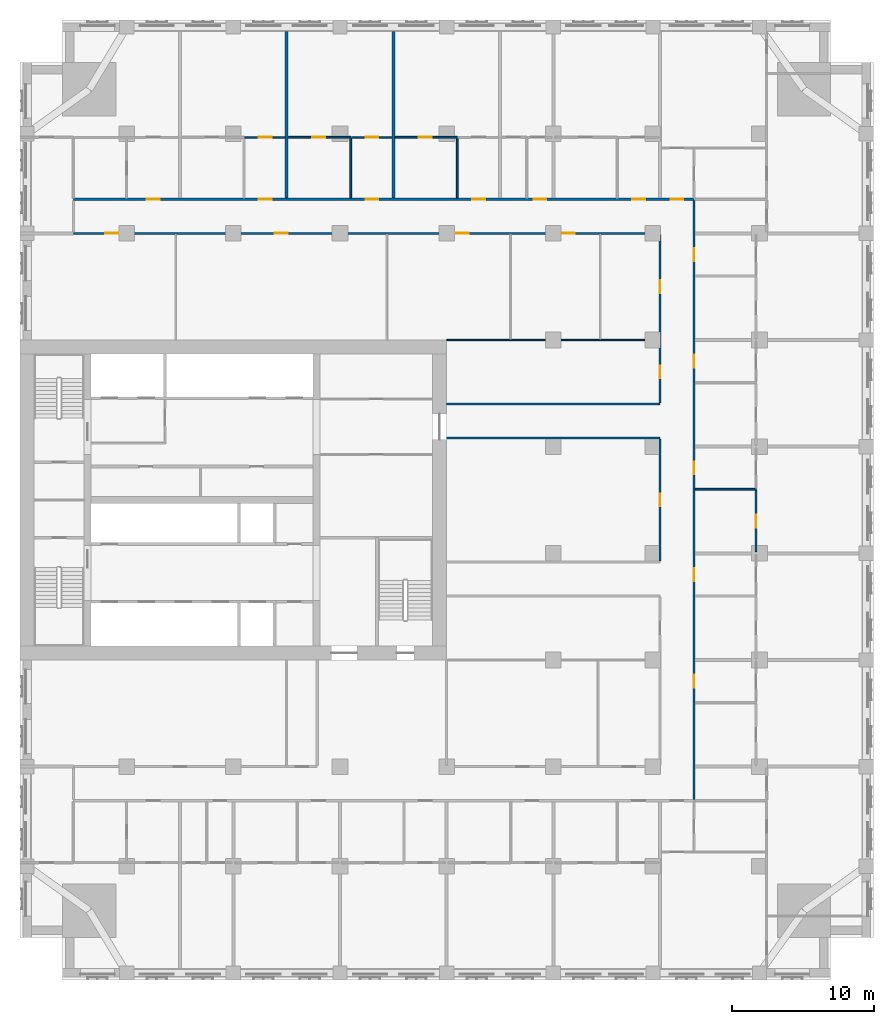
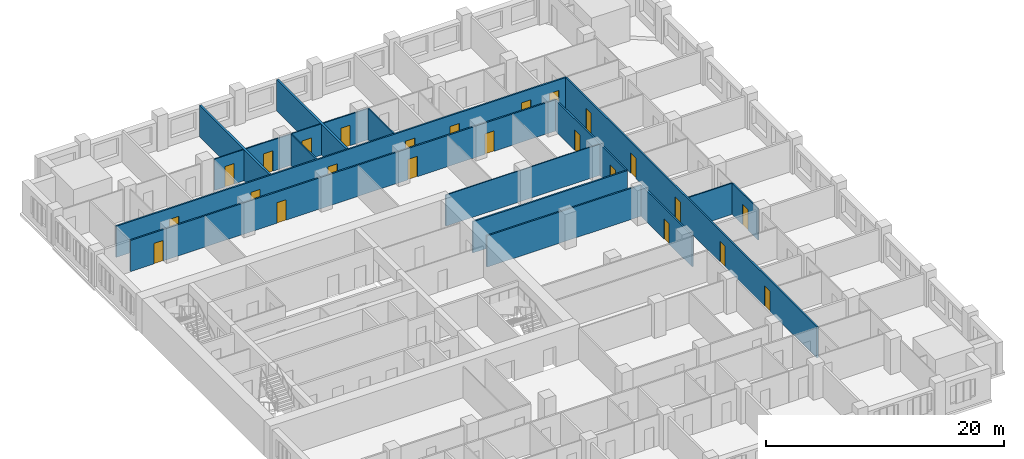
# One storey, part 9 of 14: 24 doors, 18 walls, 24 openings.
"""IFC4 building model written with IfcOpenShell, lengths in metres."""

from ifc_helpers import new_model, si_unit, direction, frame, frame_2d, origin, place, context, subcontext, project, spatial, rectangle, extrude, material, layer, layer_set, type_object, element, fill, save


model = new_model("IFC4")

# Units and contexts
model_context = context("Model", 3, precision=1e-05, world=origin(), true_north=direction((0.0, 1.0)))
body_context = subcontext(model_context, "Body", "Model", "MODEL_VIEW")
ifc_project = project(units=[si_unit("LENGTHUNIT", "METRE"), si_unit("AREAUNIT", "SQUARE_METRE"), si_unit("VOLUMEUNIT", "CUBIC_METRE"), si_unit("PLANEANGLEUNIT", "RADIAN"), si_unit("MASSUNIT", "GRAM", prefix="KILO")], contexts=[model_context])

# Site, building, storey
site_placement = place(None, origin())
site = spatial("IfcSite", under=ifc_project, at=site_placement, CompositionType="ELEMENT")
building_placement = place(site_placement, origin())
building = spatial("IfcBuilding", under=site, at=building_placement, Name="Tamorin Gate", CompositionType="ELEMENT")
storey_placement = place(building_placement, frame((0.0, 0.0, 115.10009765625)))
storey = spatial("IfcBuildingStorey", under=building, at=storey_placement, Name="L28", CompositionType="ELEMENT", Elevation=115.10009765625)

# Wall, openings, doors
ifc_material_1 = material(Name="Gypsum board partition")
ifc_layer_1 = layer(ifc_material_1, 0.14990234375)
ifc_layer_set_1 = layer_set([ifc_layer_1], Name="Corridor wall 150")
wall_type_1 = type_object("IfcWallType", Name="Corridor wall 150", PredefinedType="PARTITIONING", material=ifc_layer_set_1)
wall_1_placement = place(storey_placement, frame((33.75, 90.0, 0.0), z_axis=(0.0, 0.0, 1.0), x_axis=(1.0, 0.0, 0.0)))
wall_1 = element("IfcWall", 1, at=wall_1_placement, inside=storey, type_object=wall_type_1, Name="Corridor wall 150", PredefinedType="PARTITIONING", context=body_context, shape_type="SweptSolid", body=[
    extrude(rectangle(XDim=41.25, YDim=0.14990234375, at=frame_2d((20.625, 0.0))), origin(), (0.0, 0.0, 1.0), 3.199951171875),
])
opening_1_placement = place(wall_1_placement, frame((2.25, 0.0, 0.0)))
opening_1 = element("IfcOpeningElement", 2, at=opening_1_placement, cuts=wall_1, Name="Opening DH7070", PredefinedType="OPENING", context=body_context, shape_type="SweptSolid", body=[
    extrude(rectangle(XDim=0.89990234375, YDim=2.10009765625, at=frame_2d((0.449951171875, 1.050048828125))), frame((0.0, 0.0849609375, 0.0), z_axis=(0.0, -1.0, 0.0), x_axis=(1.0, 0.0, 0.0)), (0.0, 0.0, 1.0), 0.169921875),
])
opening_2_placement = place(wall_1_placement, frame((14.175048828125, 0.0, 0.0)))
opening_2 = element("IfcOpeningElement", 3, at=opening_2_placement, cuts=wall_1, Name="Opening DH7071", PredefinedType="OPENING", context=body_context, shape_type="SweptSolid", body=[
    extrude(rectangle(XDim=0.89990234375, YDim=2.10009765625, at=frame_2d((0.449951171875, 1.050048828125))), frame((0.0, 0.0849609375, 0.0), z_axis=(0.0, -1.0, 0.0), x_axis=(1.0, 0.0, 0.0)), (0.0, 0.0, 1.0), 0.169921875),
])
opening_3_placement = place(wall_1_placement, frame((26.89990234375, 0.0, 0.0)))
opening_3 = element("IfcOpeningElement", 4, at=opening_3_placement, cuts=wall_1, Name="Opening DH7072", PredefinedType="OPENING", context=body_context, shape_type="SweptSolid", body=[
    extrude(rectangle(XDim=0.89990234375, YDim=2.10009765625, at=frame_2d((0.449951171875, 1.050048828125))), frame((0.0, 0.0849609375, 0.0), z_axis=(0.0, -1.0, 0.0), x_axis=(1.0, 0.0, 0.0)), (0.0, 0.0, 1.0), 0.169921875),
])
opening_4_placement = place(wall_1_placement, frame((34.35009765625, 0.0, 0.0)))
opening_4 = element("IfcOpeningElement", 5, at=opening_4_placement, cuts=wall_1, Name="Opening DH7073", PredefinedType="OPENING", context=body_context, shape_type="SweptSolid", body=[
    extrude(rectangle(XDim=0.89990234375, YDim=2.10009765625, at=frame_2d((0.449951171875, 1.050048828125))), frame((0.0, 0.0849609375, 0.0), z_axis=(0.0, -1.0, 0.0), x_axis=(1.0, 0.0, 0.0)), (0.0, 0.0, 1.0), 0.169921875),
])
ifc_material_2 = material(Name="Timber door leaf", Category="wood")
door_type_1 = type_object("IfcDoorType", Name="Door 900 x 2100 FD30S", OperationType="NOTDEFINED", PredefinedType="DOOR", material=ifc_material_2)
door_1_placement = place(opening_1_placement, origin())
door_1 = element("IfcDoor", 6, at=door_1_placement, inside=storey, type_object=door_type_1, Name="Door DH7070", OperationType="SINGLE_SWING_RIGHT", OverallHeight=2.10009765625, OverallWidth=0.89990234375, PredefinedType="DOOR", context=body_context, shape_type="SweptSolid", body=[
    extrude(rectangle(XDim=0.89990234375, YDim=2.10009765625, at=frame_2d((0.449951171875, 1.050048828125))), frame((0.0, 0.02490234375, 0.0), z_axis=(0.0, -1.0, 0.0), x_axis=(1.0, 0.0, 0.0)), (0.0, 0.0, 1.0), 0.050048828125),
])
fill(opening_1, door_1)
door_2_placement = place(opening_2_placement, origin())
door_2 = element("IfcDoor", 7, at=door_2_placement, inside=storey, type_object=door_type_1, Name="Door DH7071", OperationType="SINGLE_SWING_RIGHT", OverallHeight=2.10009765625, OverallWidth=0.89990234375, PredefinedType="DOOR", context=body_context, shape_type="SweptSolid", body=[
    extrude(rectangle(XDim=0.89990234375, YDim=2.10009765625, at=frame_2d((0.449951171875, 1.050048828125))), frame((0.0, 0.02490234375, 0.0), z_axis=(0.0, -1.0, 0.0), x_axis=(1.0, 0.0, 0.0)), (0.0, 0.0, 1.0), 0.050048828125),
])
fill(opening_2, door_2)
door_3_placement = place(opening_3_placement, origin())
door_3 = element("IfcDoor", 8, at=door_3_placement, inside=storey, type_object=door_type_1, Name="Door DH7072", OperationType="SINGLE_SWING_LEFT", OverallHeight=2.10009765625, OverallWidth=0.89990234375, PredefinedType="DOOR", context=body_context, shape_type="SweptSolid", body=[
    extrude(rectangle(XDim=0.89990234375, YDim=2.10009765625, at=frame_2d((0.449951171875, 1.050048828125))), frame((0.0, 0.02490234375, 0.0), z_axis=(0.0, -1.0, 0.0), x_axis=(1.0, 0.0, 0.0)), (0.0, 0.0, 1.0), 0.050048828125),
])
fill(opening_3, door_3)
door_4_placement = place(opening_4_placement, origin())
door_4 = element("IfcDoor", 9, at=door_4_placement, inside=storey, type_object=door_type_1, Name="Door DH7073", OperationType="SINGLE_SWING_LEFT", OverallHeight=2.10009765625, OverallWidth=0.89990234375, PredefinedType="DOOR", context=body_context, shape_type="SweptSolid", body=[
    extrude(rectangle(XDim=0.89990234375, YDim=2.10009765625, at=frame_2d((0.449951171875, 1.050048828125))), frame((0.0, 0.02490234375, 0.0), z_axis=(0.0, -1.0, 0.0), x_axis=(1.0, 0.0, 0.0)), (0.0, 0.0, 1.0), 0.050048828125),
])
fill(opening_4, door_4)

wall_2_placement = place(storey_placement, frame((33.75, 92.39990234375, 0.0), z_axis=(0.0, 0.0, 1.0), x_axis=(1.0, 0.0, 0.0)))
wall_2 = element("IfcWall", 10, at=wall_2_placement, inside=storey, type_object=wall_type_1, Name="Corridor wall 150", PredefinedType="PARTITIONING", context=body_context, shape_type="SweptSolid", body=[
    extrude(rectangle(XDim=43.64990234375, YDim=0.14990234375, at=frame_2d((21.824951171875, 0.0))), origin(), (0.0, 0.0, 1.0), 3.199951171875),
])
opening_5_placement = place(wall_2_placement, frame((5.175048828125, 0.0, 0.0)))
opening_5 = element("IfcOpeningElement", 11, at=opening_5_placement, cuts=wall_2, Name="Opening DH7022", PredefinedType="OPENING", context=body_context, shape_type="SweptSolid", body=[
    extrude(rectangle(XDim=0.89990234375, YDim=2.10009765625, at=frame_2d((0.449951171875, 1.050048828125))), frame((0.0, 0.0849609375, 0.0), z_axis=(0.0, -1.0, 0.0), x_axis=(1.0, 0.0, 0.0)), (0.0, 0.0, 1.0), 0.169921875),
])
opening_6_placement = place(wall_2_placement, frame((13.050048828125, 0.0, 0.0)))
opening_6 = element("IfcOpeningElement", 12, at=opening_6_placement, cuts=wall_2, Name="Opening DH7025", PredefinedType="OPENING", context=body_context, shape_type="SweptSolid", body=[
    extrude(rectangle(XDim=0.89990234375, YDim=2.10009765625, at=frame_2d((0.449951171875, 1.050048828125))), frame((0.0, 0.0849609375, 0.0), z_axis=(0.0, -1.0, 0.0), x_axis=(1.0, 0.0, 0.0)), (0.0, 0.0, 1.0), 0.169921875),
])
opening_7_placement = place(wall_2_placement, frame((20.550048828125, 0.0, 0.0)))
opening_7 = element("IfcOpeningElement", 13, at=opening_7_placement, cuts=wall_2, Name="Opening DH7028", PredefinedType="OPENING", context=body_context, shape_type="SweptSolid", body=[
    extrude(rectangle(XDim=0.89990234375, YDim=2.10009765625, at=frame_2d((0.449951171875, 1.050048828125))), frame((0.0, 0.0849609375, 0.0), z_axis=(0.0, -1.0, 0.0), x_axis=(1.0, 0.0, 0.0)), (0.0, 0.0, 1.0), 0.169921875),
])
opening_8_placement = place(wall_2_placement, frame((28.050048828125, 0.0, 0.0)))
opening_8 = element("IfcOpeningElement", 14, at=opening_8_placement, cuts=wall_2, Name="Opening DH7031", PredefinedType="OPENING", context=body_context, shape_type="SweptSolid", body=[
    extrude(rectangle(XDim=0.89990234375, YDim=2.10009765625, at=frame_2d((0.449951171875, 1.050048828125))), frame((0.0, 0.0849609375, 0.0), z_axis=(0.0, -1.0, 0.0), x_axis=(1.0, 0.0, 0.0)), (0.0, 0.0, 1.0), 0.169921875),
])
opening_9_placement = place(wall_2_placement, frame((32.362548828125, 0.0, 0.0)))
opening_9 = element("IfcOpeningElement", 15, at=opening_9_placement, cuts=wall_2, Name="Opening DH7034", PredefinedType="OPENING", context=body_context, shape_type="SweptSolid", body=[
    extrude(rectangle(XDim=0.89990234375, YDim=2.10009765625, at=frame_2d((0.449951171875, 1.050048828125))), frame((0.0, 0.0849609375, 0.0), z_axis=(0.0, -1.0, 0.0), x_axis=(1.0, 0.0, 0.0)), (0.0, 0.0, 1.0), 0.169921875),
])
opening_10_placement = place(wall_2_placement, frame((39.300048828125, 0.0, 0.0)))
opening_10 = element("IfcOpeningElement", 16, at=opening_10_placement, cuts=wall_2, Name="Opening DH7037", PredefinedType="OPENING", context=body_context, shape_type="SweptSolid", body=[
    extrude(rectangle(XDim=0.89990234375, YDim=2.10009765625, at=frame_2d((0.449951171875, 1.050048828125))), frame((0.0, 0.0849609375, 0.0), z_axis=(0.0, -1.0, 0.0), x_axis=(1.0, 0.0, 0.0)), (0.0, 0.0, 1.0), 0.169921875),
])
opening_11_placement = place(wall_2_placement, frame((42.0, 0.0, 0.0)))
opening_11 = element("IfcOpeningElement", 17, at=opening_11_placement, cuts=wall_2, Name="Opening DH7060", PredefinedType="OPENING", context=body_context, shape_type="SweptSolid", body=[
    extrude(rectangle(XDim=0.89990234375, YDim=2.10009765625, at=frame_2d((0.449951171875, 1.050048828125))), frame((0.0, 0.0849609375, 0.0), z_axis=(0.0, -1.0, 0.0), x_axis=(1.0, 0.0, 0.0)), (0.0, 0.0, 1.0), 0.169921875),
])
door_5_placement = place(opening_5_placement, origin())
door_5 = element("IfcDoor", 18, at=door_5_placement, inside=storey, type_object=door_type_1, Name="Door DH7022", OperationType="SINGLE_SWING_LEFT", OverallHeight=2.10009765625, OverallWidth=0.89990234375, PredefinedType="DOOR", context=body_context, shape_type="SweptSolid", body=[
    extrude(rectangle(XDim=0.89990234375, YDim=2.10009765625, at=frame_2d((0.449951171875, 1.050048828125))), frame((0.0, 0.02490234375, 0.0), z_axis=(0.0, -1.0, 0.0), x_axis=(1.0, 0.0, 0.0)), (0.0, 0.0, 1.0), 0.050048828125),
])
fill(opening_5, door_5)
door_6_placement = place(opening_6_placement, origin())
door_6 = element("IfcDoor", 19, at=door_6_placement, inside=storey, type_object=door_type_1, Name="Door DH7025", OperationType="SINGLE_SWING_LEFT", OverallHeight=2.10009765625, OverallWidth=0.89990234375, PredefinedType="DOOR", context=body_context, shape_type="SweptSolid", body=[
    extrude(rectangle(XDim=0.89990234375, YDim=2.10009765625, at=frame_2d((0.449951171875, 1.050048828125))), frame((0.0, 0.02490234375, 0.0), z_axis=(0.0, -1.0, 0.0), x_axis=(1.0, 0.0, 0.0)), (0.0, 0.0, 1.0), 0.050048828125),
])
fill(opening_6, door_6)
door_7_placement = place(opening_7_placement, origin())
door_7 = element("IfcDoor", 20, at=door_7_placement, inside=storey, type_object=door_type_1, Name="Door DH7028", OperationType="SINGLE_SWING_LEFT", OverallHeight=2.10009765625, OverallWidth=0.89990234375, PredefinedType="DOOR", context=body_context, shape_type="SweptSolid", body=[
    extrude(rectangle(XDim=0.89990234375, YDim=2.10009765625, at=frame_2d((0.449951171875, 1.050048828125))), frame((0.0, 0.02490234375, 0.0), z_axis=(0.0, -1.0, 0.0), x_axis=(1.0, 0.0, 0.0)), (0.0, 0.0, 1.0), 0.050048828125),
])
fill(opening_7, door_7)
door_8_placement = place(opening_8_placement, origin())
door_8 = element("IfcDoor", 21, at=door_8_placement, inside=storey, type_object=door_type_1, Name="Door DH7031", OperationType="SINGLE_SWING_LEFT", OverallHeight=2.10009765625, OverallWidth=0.89990234375, PredefinedType="DOOR", context=body_context, shape_type="SweptSolid", body=[
    extrude(rectangle(XDim=0.89990234375, YDim=2.10009765625, at=frame_2d((0.449951171875, 1.050048828125))), frame((0.0, 0.02490234375, 0.0), z_axis=(0.0, -1.0, 0.0), x_axis=(1.0, 0.0, 0.0)), (0.0, 0.0, 1.0), 0.050048828125),
])
fill(opening_8, door_8)
door_9_placement = place(opening_9_placement, origin())
door_9 = element("IfcDoor", 22, at=door_9_placement, inside=storey, type_object=door_type_1, Name="Door DH7034", OperationType="SINGLE_SWING_LEFT", OverallHeight=2.10009765625, OverallWidth=0.89990234375, PredefinedType="DOOR", context=body_context, shape_type="SweptSolid", body=[
    extrude(rectangle(XDim=0.89990234375, YDim=2.10009765625, at=frame_2d((0.449951171875, 1.050048828125))), frame((0.0, 0.02490234375, 0.0), z_axis=(0.0, -1.0, 0.0), x_axis=(1.0, 0.0, 0.0)), (0.0, 0.0, 1.0), 0.050048828125),
])
fill(opening_9, door_9)
door_10_placement = place(opening_10_placement, origin())
door_10 = element("IfcDoor", 23, at=door_10_placement, inside=storey, type_object=door_type_1, Name="Door DH7037", OperationType="SINGLE_SWING_LEFT", OverallHeight=2.10009765625, OverallWidth=0.89990234375, PredefinedType="DOOR", context=body_context, shape_type="SweptSolid", body=[
    extrude(rectangle(XDim=0.89990234375, YDim=2.10009765625, at=frame_2d((0.449951171875, 1.050048828125))), frame((0.0, 0.02490234375, 0.0), z_axis=(0.0, -1.0, 0.0), x_axis=(1.0, 0.0, 0.0)), (0.0, 0.0, 1.0), 0.050048828125),
])
fill(opening_10, door_10)
door_11_placement = place(opening_11_placement, origin())
door_11 = element("IfcDoor", 24, at=door_11_placement, inside=storey, type_object=door_type_1, Name="Door DH7060", OperationType="SINGLE_SWING_RIGHT", OverallHeight=2.10009765625, OverallWidth=0.89990234375, PredefinedType="DOOR", context=body_context, shape_type="SweptSolid", body=[
    extrude(rectangle(XDim=0.89990234375, YDim=2.10009765625, at=frame_2d((0.449951171875, 1.050048828125))), frame((0.0, 0.02490234375, 0.0), z_axis=(0.0, -1.0, 0.0), x_axis=(1.0, 0.0, 0.0)), (0.0, 0.0, 1.0), 0.050048828125),
])
fill(opening_11, door_11)

# Wall, opening, door
wall_3_placement = place(storey_placement, frame((75.0, 66.97509765625, 0.0), z_axis=(0.0, 0.0, 1.0), x_axis=(0.0, 1.0, 0.0)))
wall_3 = element("IfcWall", 25, at=wall_3_placement, inside=storey, type_object=wall_type_1, Name="Corridor wall 150", PredefinedType="PARTITIONING", context=body_context, shape_type="SweptSolid", body=[
    extrude(rectangle(XDim=8.5498046875, YDim=0.14990234375, at=frame_2d((4.27490234375, 0.0))), origin(), (0.0, 0.0, 1.0), 3.199951171875),
])
opening_12_placement = place(wall_3_placement, frame((3.824951171875, 0.0, 0.0)))
opening_12 = element("IfcOpeningElement", 26, at=opening_12_placement, cuts=wall_3, Name="Opening DH7076", PredefinedType="OPENING", context=body_context, shape_type="SweptSolid", body=[
    extrude(rectangle(XDim=0.89990234375, YDim=2.10009765625, at=frame_2d((0.449951171875, 1.050048828125))), frame((0.0, 0.0849609375, 0.0), z_axis=(0.0, -1.0, 0.0), x_axis=(1.0, 0.0, 0.0)), (0.0, 0.0, 1.0), 0.169921875),
])
door_12_placement = place(opening_12_placement, origin())
door_12 = element("IfcDoor", 27, at=door_12_placement, inside=storey, type_object=door_type_1, Name="Door DH7076", OperationType="SINGLE_SWING_LEFT", OverallHeight=2.10009765625, OverallWidth=0.89990234375, PredefinedType="DOOR", context=body_context, shape_type="SweptSolid", body=[
    extrude(rectangle(XDim=0.89990234375, YDim=2.10009765625, at=frame_2d((0.449951171875, 1.050048828125))), frame((0.0, 0.02490234375, 0.0), z_axis=(0.0, -1.0, 0.0), x_axis=(1.0, 0.0, 0.0)), (0.0, 0.0, 1.0), 0.050048828125),
])
fill(opening_12, door_12)

# Wall, openings, doors
wall_4_placement = place(storey_placement, frame((75.0, 78.074951171875, 0.0), z_axis=(0.0, 0.0, 1.0), x_axis=(0.0, 1.0, 0.0)))
wall_4 = element("IfcWall", 28, at=wall_4_placement, inside=storey, type_object=wall_type_1, Name="Corridor wall 150", PredefinedType="PARTITIONING", context=body_context, shape_type="SweptSolid", body=[
    extrude(rectangle(XDim=11.85009765625, YDim=0.14990234375, at=frame_2d((5.925048828125, 0.0))), origin(), (0.0, 0.0, 1.0), 3.199951171875),
])
opening_13_placement = place(wall_4_placement, frame((7.72509765625, 0.0, 0.0)))
opening_13 = element("IfcOpeningElement", 29, at=opening_13_placement, cuts=wall_4, Name="Opening DH7074", PredefinedType="OPENING", context=body_context, shape_type="SweptSolid", body=[
    extrude(rectangle(XDim=0.89990234375, YDim=2.10009765625, at=frame_2d((0.449951171875, 1.050048828125))), frame((0.0, 0.0849609375, 0.0), z_axis=(0.0, -1.0, 0.0), x_axis=(1.0, 0.0, 0.0)), (0.0, 0.0, 1.0), 0.169921875),
])
opening_14_placement = place(wall_4_placement, frame((1.72509765625, 0.0, 0.0)))
opening_14 = element("IfcOpeningElement", 30, at=opening_14_placement, cuts=wall_4, Name="Opening DH7077", PredefinedType="OPENING", context=body_context, shape_type="SweptSolid", body=[
    extrude(rectangle(XDim=0.89990234375, YDim=2.10009765625, at=frame_2d((0.449951171875, 1.050048828125))), frame((0.0, 0.0849609375, 0.0), z_axis=(0.0, -1.0, 0.0), x_axis=(1.0, 0.0, 0.0)), (0.0, 0.0, 1.0), 0.169921875),
])
door_13_placement = place(opening_13_placement, origin())
door_13 = element("IfcDoor", 31, at=door_13_placement, inside=storey, type_object=door_type_1, Name="Door DH7074", OperationType="SINGLE_SWING_LEFT", OverallHeight=2.10009765625, OverallWidth=0.89990234375, PredefinedType="DOOR", context=body_context, shape_type="SweptSolid", body=[
    extrude(rectangle(XDim=0.89990234375, YDim=2.10009765625, at=frame_2d((0.449951171875, 1.050048828125))), frame((0.0, 0.02490234375, 0.0), z_axis=(0.0, -1.0, 0.0), x_axis=(1.0, 0.0, 0.0)), (0.0, 0.0, 1.0), 0.050048828125),
])
fill(opening_13, door_13)
door_14_placement = place(opening_14_placement, origin())
door_14 = element("IfcDoor", 32, at=door_14_placement, inside=storey, type_object=door_type_1, Name="Door DH7077", OperationType="SINGLE_SWING_LEFT", OverallHeight=2.10009765625, OverallWidth=0.89990234375, PredefinedType="DOOR", context=body_context, shape_type="SweptSolid", body=[
    extrude(rectangle(XDim=0.89990234375, YDim=2.10009765625, at=frame_2d((0.449951171875, 1.050048828125))), frame((0.0, 0.02490234375, 0.0), z_axis=(0.0, -1.0, 0.0), x_axis=(1.0, 0.0, 0.0)), (0.0, 0.0, 1.0), 0.050048828125),
])
fill(opening_14, door_14)

wall_5_placement = place(storey_placement, frame((77.39990234375, 50.175048828125, 0.0), z_axis=(0.0, 0.0, 1.0), x_axis=(0.0, 1.0, 0.0)))
wall_5 = element("IfcWall", 33, at=wall_5_placement, inside=storey, type_object=wall_type_1, Name="Corridor wall 150", PredefinedType="PARTITIONING", context=body_context, shape_type="SweptSolid", body=[
    extrude(rectangle(XDim=42.14990234375, YDim=0.14990234375, at=frame_2d((21.074951171875, 0.0))), origin(), (0.0, 0.0, 1.0), 3.199951171875),
])
opening_15_placement = place(wall_5_placement, frame((7.875, 0.0, 0.0)))
opening_15 = element("IfcOpeningElement", 34, at=opening_15_placement, cuts=wall_5, Name="Opening DH7040", PredefinedType="OPENING", context=body_context, shape_type="SweptSolid", body=[
    extrude(rectangle(XDim=0.89990234375, YDim=2.10009765625, at=frame_2d((0.449951171875, 1.050048828125))), frame((0.0, 0.0849609375, 0.0), z_axis=(0.0, -1.0, 0.0), x_axis=(1.0, 0.0, 0.0)), (0.0, 0.0, 1.0), 0.169921875),
])
opening_16_placement = place(wall_5_placement, frame((15.375, 0.0, 0.0)))
opening_16 = element("IfcOpeningElement", 35, at=opening_16_placement, cuts=wall_5, Name="Opening DH7043", PredefinedType="OPENING", context=body_context, shape_type="SweptSolid", body=[
    extrude(rectangle(XDim=0.89990234375, YDim=2.10009765625, at=frame_2d((0.449951171875, 1.050048828125))), frame((0.0, 0.0849609375, 0.0), z_axis=(0.0, -1.0, 0.0), x_axis=(1.0, 0.0, 0.0)), (0.0, 0.0, 1.0), 0.169921875),
])
opening_17_placement = place(wall_5_placement, frame((22.875, 0.0, 0.0)))
opening_17 = element("IfcOpeningElement", 36, at=opening_17_placement, cuts=wall_5, Name="Opening DH7046", PredefinedType="OPENING", context=body_context, shape_type="SweptSolid", body=[
    extrude(rectangle(XDim=0.89990234375, YDim=2.10009765625, at=frame_2d((0.449951171875, 1.050048828125))), frame((0.0, 0.0849609375, 0.0), z_axis=(0.0, -1.0, 0.0), x_axis=(1.0, 0.0, 0.0)), (0.0, 0.0, 1.0), 0.169921875),
])
opening_18_placement = place(wall_5_placement, frame((30.375, 0.0, 0.0)))
opening_18 = element("IfcOpeningElement", 37, at=opening_18_placement, cuts=wall_5, Name="Opening DH7049", PredefinedType="OPENING", context=body_context, shape_type="SweptSolid", body=[
    extrude(rectangle(XDim=0.89990234375, YDim=2.10009765625, at=frame_2d((0.449951171875, 1.050048828125))), frame((0.0, 0.0849609375, 0.0), z_axis=(0.0, -1.0, 0.0), x_axis=(1.0, 0.0, 0.0)), (0.0, 0.0, 1.0), 0.169921875),
])
opening_19_placement = place(wall_5_placement, frame((37.875, 0.0, 0.0)))
opening_19 = element("IfcOpeningElement", 38, at=opening_19_placement, cuts=wall_5, Name="Opening DH7052", PredefinedType="OPENING", context=body_context, shape_type="SweptSolid", body=[
    extrude(rectangle(XDim=0.89990234375, YDim=2.10009765625, at=frame_2d((0.449951171875, 1.050048828125))), frame((0.0, 0.0849609375, 0.0), z_axis=(0.0, -1.0, 0.0), x_axis=(1.0, 0.0, 0.0)), (0.0, 0.0, 1.0), 0.169921875),
])
door_15_placement = place(opening_15_placement, origin())
door_15 = element("IfcDoor", 39, at=door_15_placement, inside=storey, type_object=door_type_1, Name="Door DH7040", OperationType="SINGLE_SWING_RIGHT", OverallHeight=2.10009765625, OverallWidth=0.89990234375, PredefinedType="DOOR", context=body_context, shape_type="SweptSolid", body=[
    extrude(rectangle(XDim=0.89990234375, YDim=2.10009765625, at=frame_2d((0.449951171875, 1.050048828125))), frame((0.0, 0.02490234375, 0.0), z_axis=(0.0, -1.0, 0.0), x_axis=(1.0, 0.0, 0.0)), (0.0, 0.0, 1.0), 0.050048828125),
])
fill(opening_15, door_15)
door_16_placement = place(opening_16_placement, origin())
door_16 = element("IfcDoor", 40, at=door_16_placement, inside=storey, type_object=door_type_1, Name="Door DH7043", OperationType="SINGLE_SWING_RIGHT", OverallHeight=2.10009765625, OverallWidth=0.89990234375, PredefinedType="DOOR", context=body_context, shape_type="SweptSolid", body=[
    extrude(rectangle(XDim=0.89990234375, YDim=2.10009765625, at=frame_2d((0.449951171875, 1.050048828125))), frame((0.0, 0.02490234375, 0.0), z_axis=(0.0, -1.0, 0.0), x_axis=(1.0, 0.0, 0.0)), (0.0, 0.0, 1.0), 0.050048828125),
])
fill(opening_16, door_16)
door_17_placement = place(opening_17_placement, origin())
door_17 = element("IfcDoor", 41, at=door_17_placement, inside=storey, type_object=door_type_1, Name="Door DH7046", OperationType="SINGLE_SWING_RIGHT", OverallHeight=2.10009765625, OverallWidth=0.89990234375, PredefinedType="DOOR", context=body_context, shape_type="SweptSolid", body=[
    extrude(rectangle(XDim=0.89990234375, YDim=2.10009765625, at=frame_2d((0.449951171875, 1.050048828125))), frame((0.0, 0.02490234375, 0.0), z_axis=(0.0, -1.0, 0.0), x_axis=(1.0, 0.0, 0.0)), (0.0, 0.0, 1.0), 0.050048828125),
])
fill(opening_17, door_17)
door_18_placement = place(opening_18_placement, origin())
door_18 = element("IfcDoor", 42, at=door_18_placement, inside=storey, type_object=door_type_1, Name="Door DH7049", OperationType="SINGLE_SWING_RIGHT", OverallHeight=2.10009765625, OverallWidth=0.89990234375, PredefinedType="DOOR", context=body_context, shape_type="SweptSolid", body=[
    extrude(rectangle(XDim=0.89990234375, YDim=2.10009765625, at=frame_2d((0.449951171875, 1.050048828125))), frame((0.0, 0.02490234375, 0.0), z_axis=(0.0, -1.0, 0.0), x_axis=(1.0, 0.0, 0.0)), (0.0, 0.0, 1.0), 0.050048828125),
])
fill(opening_18, door_18)
door_19_placement = place(opening_19_placement, origin())
door_19 = element("IfcDoor", 43, at=door_19_placement, inside=storey, type_object=door_type_1, Name="Door DH7052", OperationType="SINGLE_SWING_RIGHT", OverallHeight=2.10009765625, OverallWidth=0.89990234375, PredefinedType="DOOR", context=body_context, shape_type="SweptSolid", body=[
    extrude(rectangle(XDim=0.89990234375, YDim=2.10009765625, at=frame_2d((0.449951171875, 1.050048828125))), frame((0.0, 0.02490234375, 0.0), z_axis=(0.0, -1.0, 0.0), x_axis=(1.0, 0.0, 0.0)), (0.0, 0.0, 1.0), 0.050048828125),
])
fill(opening_19, door_19)

# Walls
ifc_layer_2 = layer(ifc_material_1, 0.199951171875)
ifc_layer_set_2 = layer_set([ifc_layer_2], Name="Demising wall 200")
wall_type_2 = type_object("IfcWallType", Name="Demising wall 200", PredefinedType="PARTITIONING", material=ifc_layer_set_2)
for number, where, z_axis, x_axis, name in (
    (44, (48.75, 92.47509765625, 0.0), (0.0, 0.0, 1.0), (0.0, 1.0, 0.0), "Demising wall 200"),
    (45, (56.25, 92.47509765625, 0.0), (0.0, 0.0, 1.0), (0.0, 1.0, 0.0), "Demising wall 200"),
):
    element("IfcWall", number, at=place(storey_placement, frame(where, z_axis=z_axis, x_axis=x_axis)), inside=storey, type_object=wall_type_2, Name=name, PredefinedType="PARTITIONING", context=body_context, shape_type="SweptSolid", body=[
        extrude(rectangle(XDim=11.71484375, YDim=0.199951171875, at=frame_2d((5.857421875, 0.0))), origin(), (0.0, 0.0, 1.0), 3.199951171875),
    ])
ifc_layer_3 = layer(ifc_material_1, 0.14990234375)
ifc_layer_set_3 = layer_set([ifc_layer_3], Name="Lobby wall 150")
wall_type_3 = type_object("IfcWallType", Name="Lobby wall 150", PredefinedType="PARTITIONING", material=ifc_layer_set_3)
for number, where, z_axis, x_axis, name in (
    (46, (60.0, 75.60009765625, 0.0), (0.0, 0.0, 1.0), (1.0, 0.0, 0.0), "Lobby wall 150"),
    (47, (60.0, 78.0, 0.0), (0.0, 0.0, 1.0), (1.0, 0.0, 0.0), "Lobby wall 150"),
):
    element("IfcWall", number, at=place(storey_placement, frame(where, z_axis=z_axis, x_axis=x_axis)), inside=storey, type_object=wall_type_3, Name=name, PredefinedType="PARTITIONING", context=body_context, shape_type="SweptSolid", body=[
        extrude(rectangle(XDim=15.0, YDim=0.14990234375, at=frame_2d((7.5, 0.0))), origin(), (0.0, 0.0, 1.0), 3.199951171875),
    ])
ifc_layer_4 = layer(ifc_material_1, 0.10009765625)
ifc_layer_set_4 = layer_set([ifc_layer_4], Name="Room partition 100")
wall_type_4 = type_object("IfcWallType", Name="Room partition 100", PredefinedType="PARTITIONING", material=ifc_layer_set_4)
wall_6_placement = place(storey_placement, frame((60.0, 82.5, 0.0), z_axis=(0.0, 0.0, 1.0), x_axis=(1.0, 0.0, 0.0)))
element("IfcWall", 48, at=wall_6_placement, inside=storey, type_object=wall_type_4, Name="Room partition 100", PredefinedType="PARTITIONING", context=body_context, shape_type="SweptSolid", body=[
    extrude(rectangle(XDim=14.925048828125, YDim=0.10009765625, at=frame_2d((7.46240234375, 0.0))), origin(), (0.0, 0.0, 1.0), 3.199951171875),
])

# Wall, opening, door
wall_7_placement = place(storey_placement, frame((45.8125, 96.75, 0.0), z_axis=(0.0, 0.0, 1.0), x_axis=(1.0, 0.0, 0.0)))
wall_7 = element("IfcWall", 49, at=wall_7_placement, inside=storey, type_object=wall_type_4, Name="Room partition 100", PredefinedType="PARTITIONING", context=body_context, shape_type="SweptSolid", body=[
    extrude(rectangle(XDim=2.83740234375, YDim=0.10009765625, at=frame_2d((1.418701171875, 0.0))), origin(), (0.0, 0.0, 1.0), 3.199951171875),
])
opening_20_placement = place(wall_7_placement, frame((0.987548828125, 0.0, 0.0)))
opening_20 = element("IfcOpeningElement", 50, at=opening_20_placement, cuts=wall_7, Name="Opening DH7026", PredefinedType="OPENING", context=body_context, shape_type="SweptSolid", body=[
    extrude(rectangle(XDim=0.89990234375, YDim=2.10009765625, at=frame_2d((0.449951171875, 1.050048828125))), frame((0.0, 0.06005859375, 0.0), z_axis=(0.0, -1.0, 0.0), x_axis=(1.0, 0.0, 0.0)), (0.0, 0.0, 1.0), 0.1201171875),
])
door_type_2 = type_object("IfcDoorType", Name="Door 900 x 2100", OperationType="NOTDEFINED", PredefinedType="DOOR", material=ifc_material_2)
door_20_placement = place(opening_20_placement, origin())
door_20 = element("IfcDoor", 51, at=door_20_placement, inside=storey, type_object=door_type_2, Name="Door DH7026", OperationType="SINGLE_SWING_RIGHT", OverallHeight=2.10009765625, OverallWidth=0.89990234375, PredefinedType="DOOR", context=body_context, shape_type="SweptSolid", body=[
    extrude(rectangle(XDim=0.89990234375, YDim=2.10009765625, at=frame_2d((0.449951171875, 1.050048828125))), frame((0.0, 0.02490234375, 0.0), z_axis=(0.0, -1.0, 0.0), x_axis=(1.0, 0.0, 0.0)), (0.0, 0.0, 1.0), 0.050048828125),
])
fill(opening_20, door_20)

wall_8_placement = place(storey_placement, frame((53.3125, 96.75, 0.0), z_axis=(0.0, 0.0, 1.0), x_axis=(1.0, 0.0, 0.0)))
wall_8 = element("IfcWall", 52, at=wall_8_placement, inside=storey, type_object=wall_type_4, Name="Room partition 100", PredefinedType="PARTITIONING", context=body_context, shape_type="SweptSolid", body=[
    extrude(rectangle(XDim=2.83740234375, YDim=0.10009765625, at=frame_2d((1.418701171875, 0.0))), origin(), (0.0, 0.0, 1.0), 3.199951171875),
])
opening_21_placement = place(wall_8_placement, frame((0.987548828125, 0.0, 0.0)))
opening_21 = element("IfcOpeningElement", 53, at=opening_21_placement, cuts=wall_8, Name="Opening DH7029", PredefinedType="OPENING", context=body_context, shape_type="SweptSolid", body=[
    extrude(rectangle(XDim=0.89990234375, YDim=2.10009765625, at=frame_2d((0.449951171875, 1.050048828125))), frame((0.0, 0.06005859375, 0.0), z_axis=(0.0, -1.0, 0.0), x_axis=(1.0, 0.0, 0.0)), (0.0, 0.0, 1.0), 0.1201171875),
])
door_21_placement = place(opening_21_placement, origin())
door_21 = element("IfcDoor", 54, at=door_21_placement, inside=storey, type_object=door_type_2, Name="Door DH7029", OperationType="SINGLE_SWING_RIGHT", OverallHeight=2.10009765625, OverallWidth=0.89990234375, PredefinedType="DOOR", context=body_context, shape_type="SweptSolid", body=[
    extrude(rectangle(XDim=0.89990234375, YDim=2.10009765625, at=frame_2d((0.449951171875, 1.050048828125))), frame((0.0, 0.02490234375, 0.0), z_axis=(0.0, -1.0, 0.0), x_axis=(1.0, 0.0, 0.0)), (0.0, 0.0, 1.0), 0.050048828125),
])
fill(opening_21, door_21)

# Wall
ifc_layer_5 = layer(ifc_material_1, 0.125)
ifc_layer_set_5 = layer_set([ifc_layer_5], Name="Wet wall 125")
wall_type_5 = type_object("IfcWallType", Name="Wet wall 125", PredefinedType="PARTITIONING", material=ifc_layer_set_5)
wall_9_placement = place(storey_placement, frame((77.47509765625, 72.0, 0.0), z_axis=(0.0, 0.0, 1.0), x_axis=(1.0, 0.0, 0.0)))
element("IfcWall", 55, at=wall_9_placement, inside=storey, type_object=wall_type_5, Name="Wet wall 125", PredefinedType="PARTITIONING", context=body_context, shape_type="SweptSolid", body=[
    extrude(rectangle(XDim=4.27490234375, YDim=0.125, at=frame_2d((2.137451171875, 0.0))), origin(), (0.0, 0.0, 1.0), 3.199951171875),
])

# Wall, opening, door
wall_10_placement = place(storey_placement, frame((48.85009765625, 96.75, 0.0), z_axis=(0.0, 0.0, 1.0), x_axis=(1.0, 0.0, 0.0)))
wall_10 = element("IfcWall", 56, at=wall_10_placement, inside=storey, type_object=wall_type_5, Name="Wet wall 125", PredefinedType="PARTITIONING", context=body_context, shape_type="SweptSolid", body=[
    extrude(rectangle(XDim=4.39990234375, YDim=0.125, at=frame_2d((2.199951171875, 0.0))), origin(), (0.0, 0.0, 1.0), 3.199951171875),
])
opening_22_placement = place(wall_10_placement, frame((1.699951171875, 0.0, 0.0)))
opening_22 = element("IfcOpeningElement", 57, at=opening_22_placement, cuts=wall_10, Name="Opening DH7027", PredefinedType="OPENING", context=body_context, shape_type="SweptSolid", body=[
    extrude(rectangle(XDim=0.89990234375, YDim=2.10009765625, at=frame_2d((0.449951171875, 1.050048828125))), frame((0.0, 0.072509765625, 0.0), z_axis=(0.0, -1.0, 0.0), x_axis=(1.0, 0.0, 0.0)), (0.0, 0.0, 1.0), 0.14501953125),
])
door_22_placement = place(opening_22_placement, origin())
door_22 = element("IfcDoor", 58, at=door_22_placement, inside=storey, type_object=door_type_2, Name="Door DH7027", OperationType="SINGLE_SWING_RIGHT", OverallHeight=2.10009765625, OverallWidth=0.89990234375, PredefinedType="DOOR", context=body_context, shape_type="SweptSolid", body=[
    extrude(rectangle(XDim=0.89990234375, YDim=2.10009765625, at=frame_2d((0.449951171875, 1.050048828125))), frame((0.0, 0.02490234375, 0.0), z_axis=(0.0, -1.0, 0.0), x_axis=(1.0, 0.0, 0.0)), (0.0, 0.0, 1.0), 0.050048828125),
])
fill(opening_22, door_22)

wall_11_placement = place(storey_placement, frame((56.35009765625, 96.75, 0.0), z_axis=(0.0, 0.0, 1.0), x_axis=(1.0, 0.0, 0.0)))
wall_11 = element("IfcWall", 59, at=wall_11_placement, inside=storey, type_object=wall_type_5, Name="Wet wall 125", PredefinedType="PARTITIONING", context=body_context, shape_type="SweptSolid", body=[
    extrude(rectangle(XDim=4.39990234375, YDim=0.125, at=frame_2d((2.199951171875, 0.0))), origin(), (0.0, 0.0, 1.0), 3.199951171875),
])
opening_23_placement = place(wall_11_placement, frame((1.699951171875, 0.0, 0.0)))
opening_23 = element("IfcOpeningElement", 60, at=opening_23_placement, cuts=wall_11, Name="Opening DH7030", PredefinedType="OPENING", context=body_context, shape_type="SweptSolid", body=[
    extrude(rectangle(XDim=0.89990234375, YDim=2.10009765625, at=frame_2d((0.449951171875, 1.050048828125))), frame((0.0, 0.072509765625, 0.0), z_axis=(0.0, -1.0, 0.0), x_axis=(1.0, 0.0, 0.0)), (0.0, 0.0, 1.0), 0.14501953125),
])
door_23_placement = place(opening_23_placement, origin())
door_23 = element("IfcDoor", 61, at=door_23_placement, inside=storey, type_object=door_type_2, Name="Door DH7030", OperationType="SINGLE_SWING_RIGHT", OverallHeight=2.10009765625, OverallWidth=0.89990234375, PredefinedType="DOOR", context=body_context, shape_type="SweptSolid", body=[
    extrude(rectangle(XDim=0.89990234375, YDim=2.10009765625, at=frame_2d((0.449951171875, 1.050048828125))), frame((0.0, 0.02490234375, 0.0), z_axis=(0.0, -1.0, 0.0), x_axis=(1.0, 0.0, 0.0)), (0.0, 0.0, 1.0), 0.050048828125),
])
fill(opening_23, door_23)

# Walls
for number, where, z_axis, x_axis, name in (
    (62, (53.25, 92.47509765625, 0.0), (0.0, 0.0, 1.0), (0.0, 1.0, 0.0), "Wet wall 125"),
    (63, (60.75, 92.47509765625, 0.0), (0.0, 0.0, 1.0), (0.0, 1.0, 0.0), "Wet wall 125"),
):
    element("IfcWall", number, at=place(storey_placement, frame(where, z_axis=z_axis, x_axis=x_axis)), inside=storey, type_object=wall_type_5, Name=name, PredefinedType="PARTITIONING", context=body_context, shape_type="SweptSolid", body=[
        extrude(rectangle(XDim=4.21240234375, YDim=0.125, at=frame_2d((2.106201171875, 0.0))), origin(), (0.0, 0.0, 1.0), 3.199951171875),
    ])

# Wall, opening, door
wall_12_placement = place(storey_placement, frame((81.75, 67.60009765625, 0.0), z_axis=(0.0, 0.0, 1.0), x_axis=(0.0, 1.0, 0.0)))
wall_12 = element("IfcWall", 64, at=wall_12_placement, inside=storey, type_object=wall_type_5, Name="Wet wall 125", PredefinedType="PARTITIONING", context=body_context, shape_type="SweptSolid", body=[
    extrude(rectangle(XDim=4.33740234375, YDim=0.125, at=frame_2d((2.168701171875, 0.0))), origin(), (0.0, 0.0, 1.0), 3.199951171875),
])
opening_24_placement = place(wall_12_placement, frame((1.699951171875, 0.0, 0.0)))
opening_24 = element("IfcOpeningElement", 65, at=opening_24_placement, cuts=wall_12, Name="Opening DH7045", PredefinedType="OPENING", context=body_context, shape_type="SweptSolid", body=[
    extrude(rectangle(XDim=0.89990234375, YDim=2.10009765625, at=frame_2d((0.449951171875, 1.050048828125))), frame((0.0, 0.072509765625, 0.0), z_axis=(0.0, -1.0, 0.0), x_axis=(1.0, 0.0, 0.0)), (0.0, 0.0, 1.0), 0.14501953125),
])
door_24_placement = place(opening_24_placement, origin())
door_24 = element("IfcDoor", 66, at=door_24_placement, inside=storey, type_object=door_type_2, Name="Door DH7045", OperationType="SINGLE_SWING_LEFT", OverallHeight=2.10009765625, OverallWidth=0.89990234375, PredefinedType="DOOR", context=body_context, shape_type="SweptSolid", body=[
    extrude(rectangle(XDim=0.89990234375, YDim=2.10009765625, at=frame_2d((0.449951171875, 1.050048828125))), frame((0.0, 0.02490234375, 0.0), z_axis=(0.0, -1.0, 0.0), x_axis=(1.0, 0.0, 0.0)), (0.0, 0.0, 1.0), 0.050048828125),
])
fill(opening_24, door_24)

save(model, "model.ifc")
